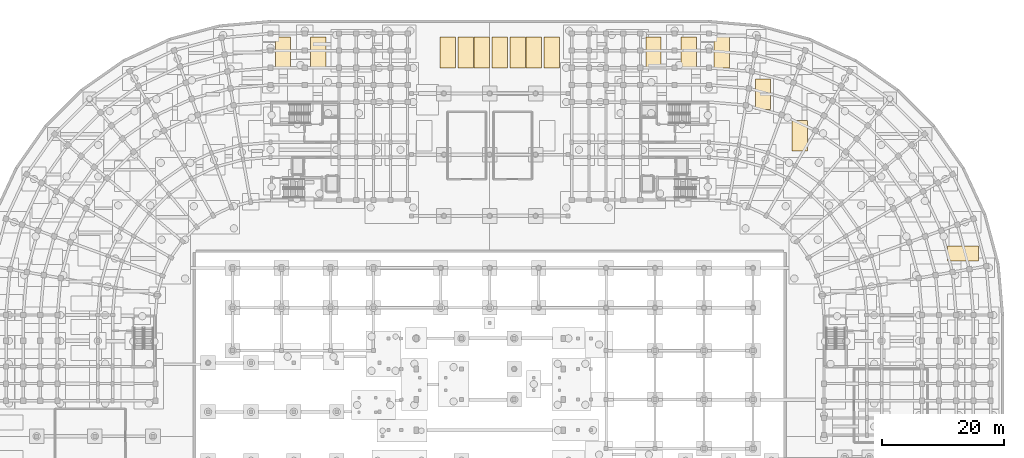
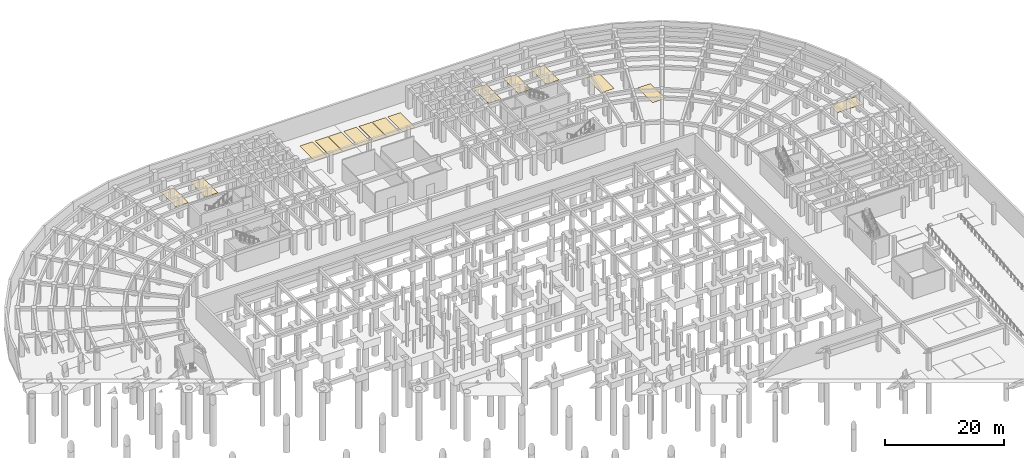
# One storey, part 52 of 53: 15 coverings.
"""IFC4 building model written with IfcOpenShell, lengths in metres."""

from ifc_helpers import new_model, si_unit, direction, frame, origin, place, context, subcontext, project, spatial, polyline, outline, extrude, material, layer, layer_set, type_object, element, save


model = new_model("IFC4")

# Units and contexts
model_context = context("Model", 3, precision=1e-05, world=origin(), true_north=direction((0.0, 1.0)))
body_context = subcontext(model_context, "Body", "Model", "MODEL_VIEW")
ifc_project = project(units=[si_unit("LENGTHUNIT", "METRE"), si_unit("AREAUNIT", "SQUARE_METRE"), si_unit("VOLUMEUNIT", "CUBIC_METRE"), si_unit("PLANEANGLEUNIT", "RADIAN"), si_unit("MASSUNIT", "GRAM", prefix="KILO")], contexts=[model_context])

# Site, building, storey
site_placement = place(None, origin())
site = spatial("IfcSite", under=ifc_project, at=site_placement, CompositionType="ELEMENT")
building_placement = place(site_placement, origin())
building = spatial("IfcBuilding", under=site, at=building_placement, Name="Kiranvali Square Residences", CompositionType="ELEMENT")
storey_placement = place(building_placement, frame((0.0, 0.0, -4.5)))
storey = spatial("IfcBuildingStorey", under=building, at=storey_placement, Name="B1", CompositionType="ELEMENT", Elevation=-4.5)

# Coverings
ifc_material = material(Name="Polished terrazzo and anti-slip vitrified floor finish", Category="stone")
ifc_layer = layer(ifc_material, 0.014892578125)
ifc_layer_set = layer_set([ifc_layer], Name="Polished terrazzo and anti-slip vitrified floor finish")
covering_type = type_object("IfcCoveringType", Name="COV-BAY-STD", PredefinedType="FLOORING", material=ifc_layer_set)
covering_1_placement = place(storey_placement, origin())
element("IfcCovering", 1, at=covering_1_placement, inside=storey, type_object=covering_type, Name="Standard Car Parking Bay P-015", PredefinedType="FLOORING", context=body_context, shape_type="SweptSolid", body=[
    extrude(outline(polyline([(133.39990234375, 114.60009765625), (135.89990234375, 114.60009765625), (135.89990234375, 119.60009765625), (133.39990234375, 119.60009765625), (133.39990234375, 114.60009765625)])), origin(), (0.0, 0.0, 1.0), 0.014892578125),
])
covering_2_placement = place(storey_placement, origin())
element("IfcCovering", 2, at=covering_2_placement, inside=storey, type_object=covering_type, Name="Standard Car Parking Bay P-016", PredefinedType="FLOORING", context=body_context, shape_type="SweptSolid", body=[
    extrude(outline(polyline([(127.39990234375, 121.39990234375), (129.89990234375, 121.39990234375), (129.89990234375, 126.39990234375), (127.39990234375, 126.39990234375), (127.39990234375, 121.39990234375)])), origin(), (0.0, 0.0, 1.0), 0.014892578125),
])
covering_3_placement = place(storey_placement, origin())
element("IfcCovering", 3, at=covering_3_placement, inside=storey, type_object=covering_type, Name="Standard Car Parking Bay P-017", PredefinedType="FLOORING", context=body_context, shape_type="SweptSolid", body=[
    extrude(outline(polyline([(49.0, 128.199951171875), (51.5, 128.199951171875), (51.5, 133.199951171875), (49.0, 133.199951171875), (49.0, 128.199951171875)])), origin(), (0.0, 0.0, 1.0), 0.014892578125),
])
covering_4_placement = place(storey_placement, origin())
element("IfcCovering", 4, at=covering_4_placement, inside=storey, type_object=covering_type, Name="Standard Car Parking Bay P-018", PredefinedType="FLOORING", context=body_context, shape_type="SweptSolid", body=[
    extrude(outline(polyline([(54.75, 128.199951171875), (57.25, 128.199951171875), (57.25, 133.199951171875), (54.75, 133.199951171875), (54.75, 128.199951171875)])), origin(), (0.0, 0.0, 1.0), 0.014892578125),
])
covering_5_placement = place(storey_placement, origin())
element("IfcCovering", 5, at=covering_5_placement, inside=storey, type_object=covering_type, Name="Standard Car Parking Bay P-019", PredefinedType="FLOORING", context=body_context, shape_type="SweptSolid", body=[
    extrude(outline(polyline([(75.89990234375, 128.199951171875), (78.39990234375, 128.199951171875), (78.39990234375, 133.199951171875), (75.89990234375, 133.199951171875), (75.89990234375, 128.199951171875)])), origin(), (0.0, 0.0, 1.0), 0.014892578125),
])
covering_6_placement = place(storey_placement, origin())
element("IfcCovering", 6, at=covering_6_placement, inside=storey, type_object=covering_type, Name="Standard Car Parking Bay P-020", PredefinedType="FLOORING", context=body_context, shape_type="SweptSolid", body=[
    extrude(outline(polyline([(78.85009765625, 128.199951171875), (81.35009765625, 128.199951171875), (81.35009765625, 133.199951171875), (78.85009765625, 133.199951171875), (78.85009765625, 128.199951171875)])), origin(), (0.0, 0.0, 1.0), 0.014892578125),
])
covering_7_placement = place(storey_placement, origin())
element("IfcCovering", 7, at=covering_7_placement, inside=storey, type_object=covering_type, Name="Standard Car Parking Bay P-021", PredefinedType="FLOORING", context=body_context, shape_type="SweptSolid", body=[
    extrude(outline(polyline([(81.449951171875, 128.199951171875), (83.949951171875, 128.199951171875), (83.949951171875, 133.199951171875), (81.449951171875, 133.199951171875), (81.449951171875, 128.199951171875)])), origin(), (0.0, 0.0, 1.0), 0.014892578125),
])
covering_8_placement = place(storey_placement, origin())
element("IfcCovering", 8, at=covering_8_placement, inside=storey, type_object=covering_type, Name="Standard Car Parking Bay P-022", PredefinedType="FLOORING", context=body_context, shape_type="SweptSolid", body=[
    extrude(outline(polyline([(84.39990234375, 128.199951171875), (86.89990234375, 128.199951171875), (86.89990234375, 133.199951171875), (84.39990234375, 133.199951171875), (84.39990234375, 128.199951171875)])), origin(), (0.0, 0.0, 1.0), 0.014892578125),
])
covering_9_placement = place(storey_placement, origin())
element("IfcCovering", 9, at=covering_9_placement, inside=storey, type_object=covering_type, Name="Standard Car Parking Bay P-023", PredefinedType="FLOORING", context=body_context, shape_type="SweptSolid", body=[
    extrude(outline(polyline([(87.35009765625, 128.199951171875), (89.85009765625, 128.199951171875), (89.85009765625, 133.199951171875), (87.35009765625, 133.199951171875), (87.35009765625, 128.199951171875)])), origin(), (0.0, 0.0, 1.0), 0.014892578125),
])
covering_10_placement = place(storey_placement, origin())
element("IfcCovering", 10, at=covering_10_placement, inside=storey, type_object=covering_type, Name="Standard Car Parking Bay P-024", PredefinedType="FLOORING", context=body_context, shape_type="SweptSolid", body=[
    extrude(outline(polyline([(89.949951171875, 128.199951171875), (92.449951171875, 128.199951171875), (92.449951171875, 133.199951171875), (89.949951171875, 133.199951171875), (89.949951171875, 128.199951171875)])), origin(), (0.0, 0.0, 1.0), 0.014892578125),
])
covering_11_placement = place(storey_placement, origin())
element("IfcCovering", 11, at=covering_11_placement, inside=storey, type_object=covering_type, Name="Standard Car Parking Bay P-025", PredefinedType="FLOORING", context=body_context, shape_type="SweptSolid", body=[
    extrude(outline(polyline([(92.89990234375, 128.199951171875), (95.39990234375, 128.199951171875), (95.39990234375, 133.199951171875), (92.89990234375, 133.199951171875), (92.89990234375, 128.199951171875)])), origin(), (0.0, 0.0, 1.0), 0.014892578125),
])
covering_12_placement = place(storey_placement, origin())
element("IfcCovering", 12, at=covering_12_placement, inside=storey, type_object=covering_type, Name="Standard Car Parking Bay P-026", PredefinedType="FLOORING", context=body_context, shape_type="SweptSolid", body=[
    extrude(outline(polyline([(109.5, 128.199951171875), (112.0, 128.199951171875), (112.0, 133.199951171875), (109.5, 133.199951171875), (109.5, 128.199951171875)])), origin(), (0.0, 0.0, 1.0), 0.014892578125),
])
covering_13_placement = place(storey_placement, origin())
element("IfcCovering", 13, at=covering_13_placement, inside=storey, type_object=covering_type, Name="Standard Car Parking Bay P-027", PredefinedType="FLOORING", context=body_context, shape_type="SweptSolid", body=[
    extrude(outline(polyline([(115.25, 128.199951171875), (117.75, 128.199951171875), (117.75, 133.199951171875), (115.25, 133.199951171875), (115.25, 128.199951171875)])), origin(), (0.0, 0.0, 1.0), 0.014892578125),
])
covering_14_placement = place(storey_placement, origin())
element("IfcCovering", 14, at=covering_14_placement, inside=storey, type_object=covering_type, Name="Standard Car Parking Bay P-028", PredefinedType="FLOORING", context=body_context, shape_type="SweptSolid", body=[
    extrude(outline(polyline([(120.64990234375, 128.199951171875), (123.14990234375, 128.199951171875), (123.14990234375, 133.199951171875), (120.64990234375, 133.199951171875), (120.64990234375, 128.199951171875)])), origin(), (0.0, 0.0, 1.0), 0.014892578125),
])
covering_15_placement = place(storey_placement, origin())
element("IfcCovering", 15, at=covering_15_placement, inside=storey, type_object=covering_type, Name="Standard Car Parking Bay P-064", PredefinedType="FLOORING", context=body_context, shape_type="SweptSolid", body=[
    extrude(outline(polyline([(158.800048828125, 96.60009765625), (163.800048828125, 96.60009765625), (163.800048828125, 99.10009765625), (158.800048828125, 99.10009765625), (158.800048828125, 96.60009765625)])), origin(), (0.0, 0.0, 1.0), 0.014892578125),
])

save(model, "model.ifc")
